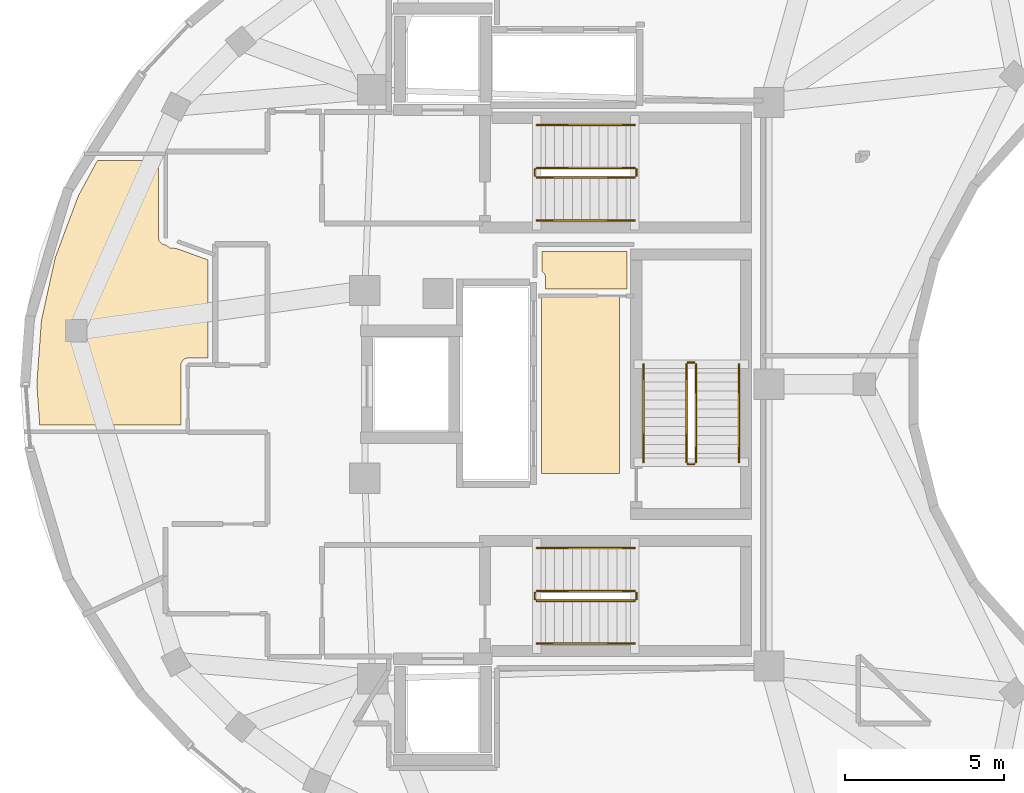
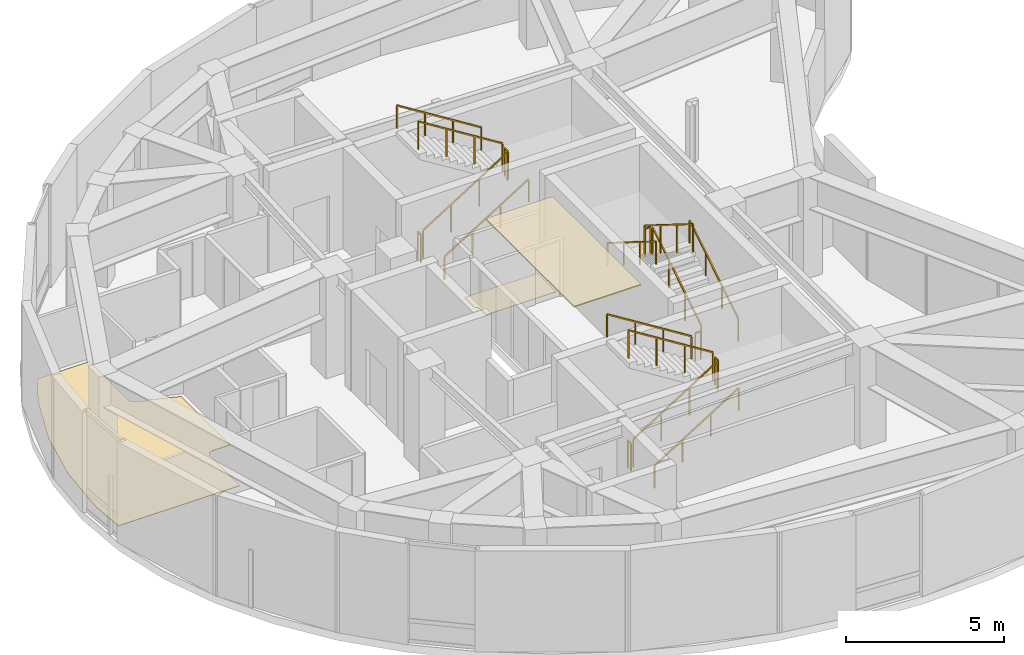
# One storey, part 6 of 6: 18 railings, 3 coverings.
"""IFC4 building model written with IfcOpenShell, lengths in metres."""

from ifc_helpers import new_model, si_unit, direction, frame, origin, origin_2d, place, context, subcontext, project, spatial, polyline, rectangle, outline, extrude, material, layer, layer_set, type_object, element, save


model = new_model("IFC4")

# Units and contexts
model_context = context("Model", 3, precision=1e-05, world=origin(), true_north=direction((0.0, 1.0)))
body_context = subcontext(model_context, "Body", "Model", "MODEL_VIEW")
ifc_project = project(units=[si_unit("LENGTHUNIT", "METRE"), si_unit("AREAUNIT", "SQUARE_METRE"), si_unit("VOLUMEUNIT", "CUBIC_METRE"), si_unit("PLANEANGLEUNIT", "RADIAN"), si_unit("MASSUNIT", "GRAM", prefix="KILO")], contexts=[model_context])

# Site, building, storey
site_placement = place(None, origin())
site = spatial("IfcSite", under=ifc_project, at=site_placement, CompositionType="ELEMENT")
building_placement = place(site_placement, origin())
building = spatial("IfcBuilding", under=site, at=building_placement, Name="Korentha Bioscience Tower", CompositionType="ELEMENT")
storey_placement = place(building_placement, frame((0.0, 0.0, 327.0)))
storey = spatial("IfcBuildingStorey", under=building, at=storey_placement, Name="L75", CompositionType="ELEMENT", Elevation=327.0)

# Covering
ifc_material_1 = material(Name="Vitrified Porcelain Tile", Category="ceramic")
ifc_layer_1 = layer(ifc_material_1, 0.014892578125, Name="Vitrified Porcelain Tile")
ifc_layer_set_1 = layer_set([ifc_layer_1], Name="Vitrified Porcelain Tile (FL-CER)")
covering_type_1 = type_object("IfcCoveringType", Name="Anti-Slip Ceramic Wet-Room Tile Flooring 15", PredefinedType="FLOORING", material=ifc_layer_set_1)
covering_1_placement = place(storey_placement, origin())
element("IfcCovering", 1, at=covering_1_placement, inside=storey, type_object=covering_type_1, Name="L75 Accessible Staff WC Floor Finish", PredefinedType="FLOORING", context=body_context, shape_type="SweptSolid", body=[
    extrude(outline(polyline([(30.419921875, 31.169921875), (33.080078125, 31.169921875), (33.080078125, 29.989990234375), (30.530029296875, 29.989990234375), (30.52734375, 30.38427734375), (30.4970703125, 30.46875), (30.419921875, 30.546142578125), (30.419921875, 31.169921875)])), origin(), (0.0, 0.0, 1.0), 0.014892578125),
])

# Railings
ifc_material_2 = material(Name="Stainless Steel 304", Category="steel")
railing_type_1 = type_object("IfcRailingType", Name="Brushed Stainless Stair Handrail 900", PredefinedType="HANDRAIL", material=ifc_material_2)
railing_1_placement = place(storey_placement, frame((30.25, 32.14990234375, 0.175048828125)))
element("IfcRailing", 2, at=railing_1_placement, inside=storey, type_object=railing_type_1, Name="L75 ST-1 stair handrail 1", PredefinedType="HANDRAIL", context=body_context, shape_type="SweptSolid", body=[
    extrude(rectangle(XDim=0.048095703125, YDim=0.048095703125, at=origin_2d()), frame((0.0, 0.0, 0.8759765625), z_axis=(0.847998304005, 0.0, 0.529998940003), x_axis=(0.0, 1.0, 0.0)), (0.0, 0.0, 1.0), 3.632080078125),
    extrude(rectangle(XDim=0.0419921875, YDim=0.0419921875, at=origin_2d()), origin(), (0.0, 0.0, 1.0), 0.851806640625),
    extrude(rectangle(XDim=0.0419921875, YDim=0.0419921875, at=origin_2d()), frame((1.026611328125, 0.0, 0.6416015625)), (0.0, 0.0, 1.0), 0.851806640625),
    extrude(rectangle(XDim=0.0419921875, YDim=0.0419921875, at=origin_2d()), frame((2.053466796875, 0.0, 1.283447265625)), (0.0, 0.0, 1.0), 0.851806640625),
    extrude(rectangle(XDim=0.0419921875, YDim=0.0419921875, at=origin_2d()), frame((3.080078125, 0.0, 1.925048828125)), (0.0, 0.0, 1.0), 0.851806640625),
])
railing_2_placement = place(storey_placement, frame((33.330078125, 35.14990234375, 2.27490234375)))
element("IfcRailing", 3, at=railing_2_placement, inside=storey, type_object=railing_type_1, Name="L75 ST-1 stair handrail 2", PredefinedType="HANDRAIL", context=body_context, shape_type="SweptSolid", body=[
    extrude(rectangle(XDim=0.048095703125, YDim=0.048095703125, at=origin_2d()), frame((0.0, 0.0, 0.8759765625), z_axis=(-0.847998304005, 0.0, 0.529998940003), x_axis=(0.0, -1.0, 0.0)), (0.0, 0.0, 1.0), 3.632080078125),
    extrude(rectangle(XDim=0.0419921875, YDim=0.0419921875, at=origin_2d()), origin(), (0.0, 0.0, 1.0), 0.851806640625),
    extrude(rectangle(XDim=0.0419921875, YDim=0.0419921875, at=origin_2d()), frame((-1.026611328125, 0.0, 0.6416015625)), (0.0, 0.0, 1.0), 0.851806640625),
    extrude(rectangle(XDim=0.0419921875, YDim=0.0419921875, at=origin_2d()), frame((-2.053466796875, 0.0, 1.283447265625)), (0.0, 0.0, 1.0), 0.851806640625),
    extrude(rectangle(XDim=0.0419921875, YDim=0.0419921875, at=origin_2d()), frame((-3.080078125, 0.0, 1.925048828125)), (0.0, 0.0, 1.0), 0.851806640625),
])
railing_3_placement = place(storey_placement, frame((30.25, 18.85009765625, 0.175048828125)))
element("IfcRailing", 4, at=railing_3_placement, inside=storey, type_object=railing_type_1, Name="L75 ST-2 stair handrail 1", PredefinedType="HANDRAIL", context=body_context, shape_type="SweptSolid", body=[
    extrude(rectangle(XDim=0.048095703125, YDim=0.048095703125, at=origin_2d()), frame((0.0, 0.0, 0.8759765625), z_axis=(0.847998304005, 0.0, 0.529998940003), x_axis=(0.0, 1.0, 0.0)), (0.0, 0.0, 1.0), 3.632080078125),
    extrude(rectangle(XDim=0.0419921875, YDim=0.0419921875, at=origin_2d()), origin(), (0.0, 0.0, 1.0), 0.851806640625),
    extrude(rectangle(XDim=0.0419921875, YDim=0.0419921875, at=origin_2d()), frame((1.026611328125, 0.0, 0.6416015625)), (0.0, 0.0, 1.0), 0.851806640625),
    extrude(rectangle(XDim=0.0419921875, YDim=0.0419921875, at=origin_2d()), frame((2.053466796875, 0.0, 1.283447265625)), (0.0, 0.0, 1.0), 0.851806640625),
    extrude(rectangle(XDim=0.0419921875, YDim=0.0419921875, at=origin_2d()), frame((3.080078125, 0.0, 1.925048828125)), (0.0, 0.0, 1.0), 0.851806640625),
])
railing_4_placement = place(storey_placement, frame((33.330078125, 21.85009765625, 2.27490234375)))
element("IfcRailing", 5, at=railing_4_placement, inside=storey, type_object=railing_type_1, Name="L75 ST-2 stair handrail 2", PredefinedType="HANDRAIL", context=body_context, shape_type="SweptSolid", body=[
    extrude(rectangle(XDim=0.048095703125, YDim=0.048095703125, at=origin_2d()), frame((0.0, 0.0, 0.8759765625), z_axis=(-0.847998304005, 0.0, 0.529998940003), x_axis=(0.0, -1.0, 0.0)), (0.0, 0.0, 1.0), 3.632080078125),
    extrude(rectangle(XDim=0.0419921875, YDim=0.0419921875, at=origin_2d()), origin(), (0.0, 0.0, 1.0), 0.851806640625),
    extrude(rectangle(XDim=0.0419921875, YDim=0.0419921875, at=origin_2d()), frame((-1.026611328125, 0.0, 0.6416015625)), (0.0, 0.0, 1.0), 0.851806640625),
    extrude(rectangle(XDim=0.0419921875, YDim=0.0419921875, at=origin_2d()), frame((-2.053466796875, 0.0, 1.283447265625)), (0.0, 0.0, 1.0), 0.851806640625),
    extrude(rectangle(XDim=0.0419921875, YDim=0.0419921875, at=origin_2d()), frame((-3.080078125, 0.0, 1.925048828125)), (0.0, 0.0, 1.0), 0.851806640625),
])
railing_5_placement = place(storey_placement, frame((36.60009765625, 24.550048828125, 0.175048828125)))
element("IfcRailing", 6, at=railing_5_placement, inside=storey, type_object=railing_type_1, Name="L75 ST-3 stair handrail 1", PredefinedType="HANDRAIL", context=body_context, shape_type="SweptSolid", body=[
    extrude(rectangle(XDim=0.048095703125, YDim=0.048095703125, at=origin_2d()), frame((0.0, 0.0, 0.8759765625), z_axis=(0.0, 0.847979421464, 0.530029150871), x_axis=(-1.0, 0.0, 0.0)), (0.0, 0.0, 1.0), 3.632080078125),
    extrude(rectangle(XDim=0.0419921875, YDim=0.0419921875, at=origin_2d()), origin(), (0.0, 0.0, 1.0), 0.851806640625),
    extrude(rectangle(XDim=0.0419921875, YDim=0.0419921875, at=origin_2d()), frame((0.0, 1.026611328125, 0.6416015625)), (0.0, 0.0, 1.0), 0.851806640625),
    extrude(rectangle(XDim=0.0419921875, YDim=0.0419921875, at=origin_2d()), frame((0.0, 2.05322265625, 1.283447265625)), (0.0, 0.0, 1.0), 0.851806640625),
    extrude(rectangle(XDim=0.0419921875, YDim=0.0419921875, at=origin_2d()), frame((0.0, 3.079833984375, 1.925048828125)), (0.0, 0.0, 1.0), 0.851806640625),
])
railing_6_placement = place(storey_placement, frame((33.60009765625, 27.6298828125, 2.27490234375)))
element("IfcRailing", 7, at=railing_6_placement, inside=storey, type_object=railing_type_1, Name="L75 ST-3 stair handrail 2", PredefinedType="HANDRAIL", context=body_context, shape_type="SweptSolid", body=[
    extrude(rectangle(XDim=0.048095703125, YDim=0.048095703125, at=origin_2d()), frame((0.0, 0.0, 0.8759765625), z_axis=(0.0, -0.847979421464, 0.530029150871), x_axis=(1.0, 0.0, 0.0)), (0.0, 0.0, 1.0), 3.632080078125),
    extrude(rectangle(XDim=0.0419921875, YDim=0.0419921875, at=origin_2d()), origin(), (0.0, 0.0, 1.0), 0.851806640625),
    extrude(rectangle(XDim=0.0419921875, YDim=0.0419921875, at=origin_2d()), frame((0.0, -1.026611328125, 0.6416015625)), (0.0, 0.0, 1.0), 0.851806640625),
    extrude(rectangle(XDim=0.0419921875, YDim=0.0419921875, at=origin_2d()), frame((0.0, -2.05322265625, 1.283447265625)), (0.0, 0.0, 1.0), 0.851806640625),
    extrude(rectangle(XDim=0.0419921875, YDim=0.0419921875, at=origin_2d()), frame((0.0, -3.079833984375, 1.925048828125)), (0.0, 0.0, 1.0), 0.851806640625),
])

# Covering
ifc_material_3 = material(Name="Honed Travertine Limestone", Category="masonry")
ifc_layer_2 = layer(ifc_material_3, 0.02490234375, Name="Honed Travertine Limestone")
ifc_layer_set_2 = layer_set([ifc_layer_2], Name="Honed Travertine Limestone (FL-STN)")
covering_type_2 = type_object("IfcCoveringType", Name="Honed Travertine Lobby Stone Flooring 25", PredefinedType="FLOORING", material=ifc_layer_set_2)
covering_2_placement = place(storey_placement, origin())
element("IfcCovering", 8, at=covering_2_placement, inside=storey, type_object=covering_type_2, Name="L75 Principal Investigator Office 01 Floor Finish", PredefinedType="FLOORING", context=body_context, shape_type="SweptSolid", body=[
    extrude(outline(polyline([(14.544677734375, 27.0), (14.690185546875, 29.0068359375), (15.12548828125, 30.986083984375), (15.84521484375, 32.910400390625), (16.448486328125, 34.02783203125), (18.3701171875, 34.028076171875), (18.3701171875, 31.60009765625), (18.392333984375, 31.501220703125), (18.481201171875, 31.403076171875), (18.610595703125, 31.3701171875), (18.72216796875, 31.28369140625), (18.92236328125, 31.27001953125), (19.919921875, 30.9091796875), (19.919921875, 27.830078125), (19.265869140625, 27.827392578125), (19.16259765625, 27.784423828125), (19.08349609375, 27.677978515625), (19.070068359375, 27.60009765625), (19.070068359375, 25.722900390625), (14.63720703125, 25.722900390625), (14.544677734375, 27.0)])), origin(), (0.0, 0.0, 1.0), 0.02490234375),
])

# Railings
ifc_material_4 = material(Name="Painted Steel S275", Category="steel")
railing_type_2 = type_object("IfcRailingType", Name="Painted Steel Stair Well Guardrail 1100", PredefinedType="GUARDRAIL", material=ifc_material_4)
railing_7_placement = place(storey_placement, frame((30.25, 33.5, 0.175048828125)))
element("IfcRailing", 9, at=railing_7_placement, inside=storey, type_object=railing_type_2, Name="L75 ST-1 stair guard 1", PredefinedType="GUARDRAIL", context=body_context, shape_type="SweptSolid", body=[
    extrude(rectangle(XDim=0.048095703125, YDim=0.048095703125, at=origin_2d()), frame((0.0, 0.0, 1.076171875), z_axis=(0.847998304005, 0.0, 0.529998940003), x_axis=(0.0, 1.0, 0.0)), (0.0, 0.0, 1.0), 3.632080078125),
    extrude(rectangle(XDim=0.0419921875, YDim=0.0419921875, at=origin_2d()), origin(), (0.0, 0.0, 1.0), 1.052001953125),
    extrude(rectangle(XDim=0.0419921875, YDim=0.0419921875, at=origin_2d()), frame((1.026611328125, 0.0, 0.6416015625)), (0.0, 0.0, 1.0), 1.052001953125),
    extrude(rectangle(XDim=0.0419921875, YDim=0.0419921875, at=origin_2d()), frame((2.053466796875, 0.0, 1.283447265625)), (0.0, 0.0, 1.0), 1.052001953125),
    extrude(rectangle(XDim=0.0419921875, YDim=0.0419921875, at=origin_2d()), frame((3.080078125, 0.0, 1.925048828125)), (0.0, 0.0, 1.0), 1.052001953125),
])
railing_8_placement = place(storey_placement, frame((33.3798828125, 33.550048828125, 2.10009765625)))
element("IfcRailing", 10, at=railing_8_placement, inside=storey, type_object=railing_type_2, Name="L75 ST-1 stair guard 2", PredefinedType="GUARDRAIL", context=body_context, shape_type="SweptSolid", body=[
    extrude(rectangle(XDim=0.048095703125, YDim=0.048095703125, at=origin_2d()), frame((0.0, 0.0, 1.076171875), z_axis=(0.0, 1.0, 0.0), x_axis=(-1.0, 0.0, 0.0)), (0.0, 0.0, 1.0), 0.199951171875),
    extrude(rectangle(XDim=0.0419921875, YDim=0.0419921875, at=origin_2d()), origin(), (0.0, 0.0, 1.0), 1.052001953125),
    extrude(rectangle(XDim=0.0419921875, YDim=0.0419921875, at=origin_2d()), frame((0.0, 0.199951171875, 0.0)), (0.0, 0.0, 1.0), 1.052001953125),
])
railing_9_placement = place(storey_placement, frame((33.330078125, 33.800048828125, 2.27490234375)))
element("IfcRailing", 11, at=railing_9_placement, inside=storey, type_object=railing_type_2, Name="L75 ST-1 stair guard 3", PredefinedType="GUARDRAIL", context=body_context, shape_type="SweptSolid", body=[
    extrude(rectangle(XDim=0.048095703125, YDim=0.048095703125, at=origin_2d()), frame((0.0, 0.0, 1.076171875), z_axis=(-0.847998304005, 0.0, 0.529998940003), x_axis=(0.0, -1.0, 0.0)), (0.0, 0.0, 1.0), 3.632080078125),
    extrude(rectangle(XDim=0.0419921875, YDim=0.0419921875, at=origin_2d()), origin(), (0.0, 0.0, 1.0), 1.052001953125),
    extrude(rectangle(XDim=0.0419921875, YDim=0.0419921875, at=origin_2d()), frame((-1.026611328125, 0.0, 0.6416015625)), (0.0, 0.0, 1.0), 1.052001953125),
    extrude(rectangle(XDim=0.0419921875, YDim=0.0419921875, at=origin_2d()), frame((-2.053466796875, 0.0, 1.283447265625)), (0.0, 0.0, 1.0), 1.052001953125),
    extrude(rectangle(XDim=0.0419921875, YDim=0.0419921875, at=origin_2d()), frame((-3.080078125, 0.0, 1.925048828125)), (0.0, 0.0, 1.0), 1.052001953125),
])
railing_10_placement = place(storey_placement, frame((30.199951171875, 33.550048828125, 0.0)))
element("IfcRailing", 12, at=railing_10_placement, inside=storey, type_object=railing_type_2, Name="L75 ST-1 stair guard 4", PredefinedType="GUARDRAIL", context=body_context, shape_type="SweptSolid", body=[
    extrude(rectangle(XDim=0.048095703125, YDim=0.048095703125, at=origin_2d()), frame((0.0, 0.0, 1.076171875), z_axis=(0.0, 1.0, 0.0), x_axis=(-1.0, 0.0, 0.0)), (0.0, 0.0, 1.0), 0.199951171875),
    extrude(rectangle(XDim=0.0419921875, YDim=0.0419921875, at=origin_2d()), origin(), (0.0, 0.0, 1.0), 1.052001953125),
    extrude(rectangle(XDim=0.0419921875, YDim=0.0419921875, at=origin_2d()), frame((0.0, 0.199951171875, 0.0)), (0.0, 0.0, 1.0), 1.052001953125),
])
railing_11_placement = place(storey_placement, frame((30.25, 20.199951171875, 0.175048828125)))
element("IfcRailing", 13, at=railing_11_placement, inside=storey, type_object=railing_type_2, Name="L75 ST-2 stair guard 1", PredefinedType="GUARDRAIL", context=body_context, shape_type="SweptSolid", body=[
    extrude(rectangle(XDim=0.048095703125, YDim=0.048095703125, at=origin_2d()), frame((0.0, 0.0, 1.076171875), z_axis=(0.847998304005, 0.0, 0.529998940003), x_axis=(0.0, 1.0, 0.0)), (0.0, 0.0, 1.0), 3.632080078125),
    extrude(rectangle(XDim=0.0419921875, YDim=0.0419921875, at=origin_2d()), origin(), (0.0, 0.0, 1.0), 1.052001953125),
    extrude(rectangle(XDim=0.0419921875, YDim=0.0419921875, at=origin_2d()), frame((1.026611328125, 0.0, 0.6416015625)), (0.0, 0.0, 1.0), 1.052001953125),
    extrude(rectangle(XDim=0.0419921875, YDim=0.0419921875, at=origin_2d()), frame((2.053466796875, 0.0, 1.283447265625)), (0.0, 0.0, 1.0), 1.052001953125),
    extrude(rectangle(XDim=0.0419921875, YDim=0.0419921875, at=origin_2d()), frame((3.080078125, 0.0, 1.925048828125)), (0.0, 0.0, 1.0), 1.052001953125),
])
railing_12_placement = place(storey_placement, frame((33.3798828125, 20.25, 2.10009765625)))
element("IfcRailing", 14, at=railing_12_placement, inside=storey, type_object=railing_type_2, Name="L75 ST-2 stair guard 2", PredefinedType="GUARDRAIL", context=body_context, shape_type="SweptSolid", body=[
    extrude(rectangle(XDim=0.048095703125, YDim=0.048095703125, at=origin_2d()), frame((0.0, 0.0, 1.076171875), z_axis=(0.0, 1.0, 0.0), x_axis=(-1.0, 0.0, 0.0)), (0.0, 0.0, 1.0), 0.199951171875),
    extrude(rectangle(XDim=0.0419921875, YDim=0.0419921875, at=origin_2d()), origin(), (0.0, 0.0, 1.0), 1.052001953125),
    extrude(rectangle(XDim=0.0419921875, YDim=0.0419921875, at=origin_2d()), frame((0.0, 0.199951171875, 0.0)), (0.0, 0.0, 1.0), 1.052001953125),
])
railing_13_placement = place(storey_placement, frame((33.330078125, 20.5, 2.27490234375)))
element("IfcRailing", 15, at=railing_13_placement, inside=storey, type_object=railing_type_2, Name="L75 ST-2 stair guard 3", PredefinedType="GUARDRAIL", context=body_context, shape_type="SweptSolid", body=[
    extrude(rectangle(XDim=0.048095703125, YDim=0.048095703125, at=origin_2d()), frame((0.0, 0.0, 1.076171875), z_axis=(-0.847998304005, 0.0, 0.529998940003), x_axis=(0.0, -1.0, 0.0)), (0.0, 0.0, 1.0), 3.632080078125),
    extrude(rectangle(XDim=0.0419921875, YDim=0.0419921875, at=origin_2d()), origin(), (0.0, 0.0, 1.0), 1.052001953125),
    extrude(rectangle(XDim=0.0419921875, YDim=0.0419921875, at=origin_2d()), frame((-1.026611328125, 0.0, 0.6416015625)), (0.0, 0.0, 1.0), 1.052001953125),
    extrude(rectangle(XDim=0.0419921875, YDim=0.0419921875, at=origin_2d()), frame((-2.053466796875, 0.0, 1.283447265625)), (0.0, 0.0, 1.0), 1.052001953125),
    extrude(rectangle(XDim=0.0419921875, YDim=0.0419921875, at=origin_2d()), frame((-3.080078125, 0.0, 1.925048828125)), (0.0, 0.0, 1.0), 1.052001953125),
])
railing_14_placement = place(storey_placement, frame((30.199951171875, 20.25, 0.0)))
element("IfcRailing", 16, at=railing_14_placement, inside=storey, type_object=railing_type_2, Name="L75 ST-2 stair guard 4", PredefinedType="GUARDRAIL", context=body_context, shape_type="SweptSolid", body=[
    extrude(rectangle(XDim=0.048095703125, YDim=0.048095703125, at=origin_2d()), frame((0.0, 0.0, 1.076171875), z_axis=(0.0, 1.0, 0.0), x_axis=(-1.0, 0.0, 0.0)), (0.0, 0.0, 1.0), 0.199951171875),
    extrude(rectangle(XDim=0.0419921875, YDim=0.0419921875, at=origin_2d()), origin(), (0.0, 0.0, 1.0), 1.052001953125),
    extrude(rectangle(XDim=0.0419921875, YDim=0.0419921875, at=origin_2d()), frame((0.0, 0.199951171875, 0.0)), (0.0, 0.0, 1.0), 1.052001953125),
])
railing_15_placement = place(storey_placement, frame((35.25, 24.550048828125, 0.175048828125)))
element("IfcRailing", 17, at=railing_15_placement, inside=storey, type_object=railing_type_2, Name="L75 ST-3 stair guard 1", PredefinedType="GUARDRAIL", context=body_context, shape_type="SweptSolid", body=[
    extrude(rectangle(XDim=0.048095703125, YDim=0.048095703125, at=origin_2d()), frame((0.0, 0.0, 1.076171875), z_axis=(0.0, 0.847979421464, 0.530029150871), x_axis=(-1.0, 0.0, 0.0)), (0.0, 0.0, 1.0), 3.632080078125),
    extrude(rectangle(XDim=0.0419921875, YDim=0.0419921875, at=origin_2d()), origin(), (0.0, 0.0, 1.0), 1.052001953125),
    extrude(rectangle(XDim=0.0419921875, YDim=0.0419921875, at=origin_2d()), frame((0.0, 1.026611328125, 0.6416015625)), (0.0, 0.0, 1.0), 1.052001953125),
    extrude(rectangle(XDim=0.0419921875, YDim=0.0419921875, at=origin_2d()), frame((0.0, 2.05322265625, 1.283447265625)), (0.0, 0.0, 1.0), 1.052001953125),
    extrude(rectangle(XDim=0.0419921875, YDim=0.0419921875, at=origin_2d()), frame((0.0, 3.079833984375, 1.925048828125)), (0.0, 0.0, 1.0), 1.052001953125),
])
railing_16_placement = place(storey_placement, frame((35.199951171875, 27.679931640625, 2.10009765625)))
element("IfcRailing", 18, at=railing_16_placement, inside=storey, type_object=railing_type_2, Name="L75 ST-3 stair guard 2", PredefinedType="GUARDRAIL", context=body_context, shape_type="SweptSolid", body=[
    extrude(rectangle(XDim=0.048095703125, YDim=0.048095703125, at=origin_2d()), frame((0.0, 0.0, 1.076171875), z_axis=(-1.0, 0.0, 0.0), x_axis=(0.0, -1.0, 0.0)), (0.0, 0.0, 1.0), 0.199951171875),
    extrude(rectangle(XDim=0.0419921875, YDim=0.0419921875, at=origin_2d()), origin(), (0.0, 0.0, 1.0), 1.052001953125),
    extrude(rectangle(XDim=0.0419921875, YDim=0.0419921875, at=origin_2d()), frame((-0.199951171875, 0.0, 0.0)), (0.0, 0.0, 1.0), 1.052001953125),
])
railing_17_placement = place(storey_placement, frame((34.949951171875, 27.6298828125, 2.27490234375)))
element("IfcRailing", 19, at=railing_17_placement, inside=storey, type_object=railing_type_2, Name="L75 ST-3 stair guard 3", PredefinedType="GUARDRAIL", context=body_context, shape_type="SweptSolid", body=[
    extrude(rectangle(XDim=0.048095703125, YDim=0.048095703125, at=origin_2d()), frame((0.0, 0.0, 1.076171875), z_axis=(0.0, -0.847979421464, 0.530029150871), x_axis=(1.0, 0.0, 0.0)), (0.0, 0.0, 1.0), 3.632080078125),
    extrude(rectangle(XDim=0.0419921875, YDim=0.0419921875, at=origin_2d()), origin(), (0.0, 0.0, 1.0), 1.052001953125),
    extrude(rectangle(XDim=0.0419921875, YDim=0.0419921875, at=origin_2d()), frame((0.0, -1.026611328125, 0.6416015625)), (0.0, 0.0, 1.0), 1.052001953125),
    extrude(rectangle(XDim=0.0419921875, YDim=0.0419921875, at=origin_2d()), frame((0.0, -2.05322265625, 1.283447265625)), (0.0, 0.0, 1.0), 1.052001953125),
    extrude(rectangle(XDim=0.0419921875, YDim=0.0419921875, at=origin_2d()), frame((0.0, -3.079833984375, 1.925048828125)), (0.0, 0.0, 1.0), 1.052001953125),
])
railing_18_placement = place(storey_placement, frame((35.199951171875, 24.5, 0.0)))
element("IfcRailing", 20, at=railing_18_placement, inside=storey, type_object=railing_type_2, Name="L75 ST-3 stair guard 4", PredefinedType="GUARDRAIL", context=body_context, shape_type="SweptSolid", body=[
    extrude(rectangle(XDim=0.048095703125, YDim=0.048095703125, at=origin_2d()), frame((0.0, 0.0, 1.076171875), z_axis=(-1.0, 0.0, 0.0), x_axis=(0.0, -1.0, 0.0)), (0.0, 0.0, 1.0), 0.199951171875),
    extrude(rectangle(XDim=0.0419921875, YDim=0.0419921875, at=origin_2d()), origin(), (0.0, 0.0, 1.0), 1.052001953125),
    extrude(rectangle(XDim=0.0419921875, YDim=0.0419921875, at=origin_2d()), frame((-0.199951171875, 0.0, 0.0)), (0.0, 0.0, 1.0), 1.052001953125),
])

# Covering
ifc_material_5 = material(Name="Perforated Powder-Coated Aluminium", Category="aluminium")
ifc_layer_3 = layer(ifc_material_5, 0.044921875, Name="Perforated Powder-Coated Aluminium")
ifc_layer_set_3 = layer_set([ifc_layer_3], Name="Perforated Powder-Coated Aluminium (CL-M45)")
covering_type_3 = type_object("IfcCoveringType", Name="Perforated Metal Laboratory Acoustic Ceiling 45", PredefinedType="CEILING", material=ifc_layer_set_3)
covering_3_placement = place(storey_placement, frame((0.0, 0.0, 3.85498046875)))
element("IfcCovering", 21, at=covering_3_placement, inside=storey, type_object=covering_type_3, Name="L75 Acoustic Metal Baffle Ceiling", PredefinedType="CEILING", context=body_context, shape_type="SweptSolid", body=[
    extrude(outline(polyline([(30.39990234375, 24.199951171875), (32.85009765625, 24.199951171875), (32.85009765625, 29.800048828125), (30.39990234375, 29.800048828125), (30.39990234375, 24.199951171875)])), origin(), (0.0, 0.0, 1.0), 0.044921875),
])

save(model, "model.ifc")
